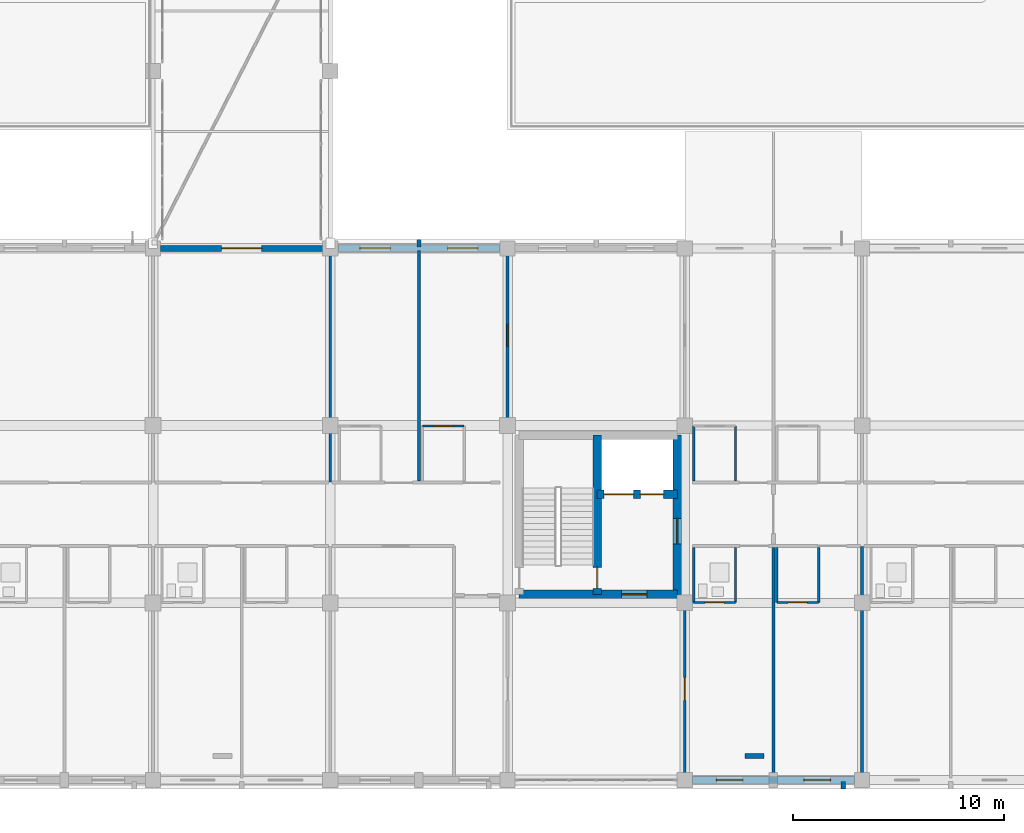
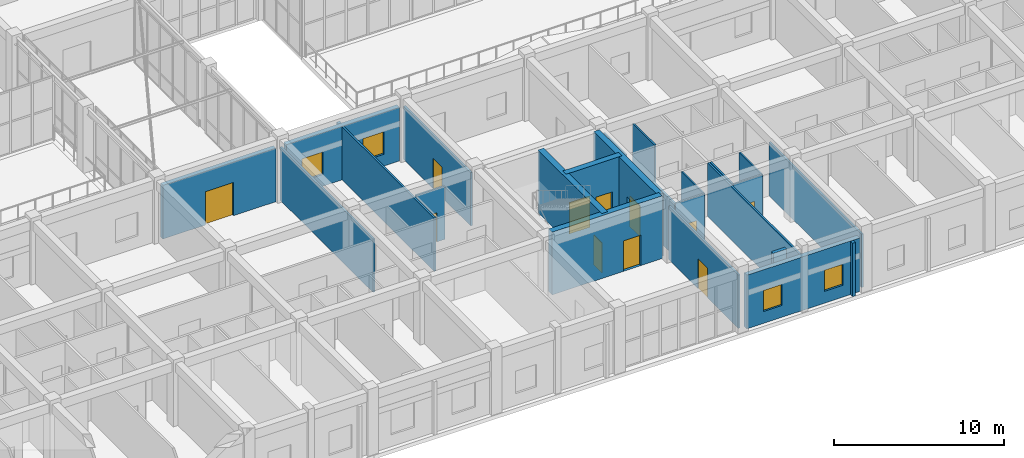
# One storey, part 121 of 158: 25 walls, 11 doors, 4 windows, 15 openings.
"""IFC4 building model written with IfcOpenShell, lengths in metres."""

from ifc_helpers import new_model, si_unit, direction, frame, frame_2d, origin, place, context, subcontext, project, spatial, rectangle, extrude, material, layer, layer_set, type_object, element, fill, save


model = new_model("IFC4")

# Units and contexts
model_context = context("Model", 3, precision=1e-05, world=origin(), true_north=direction((0.0, 1.0)))
body_context = subcontext(model_context, "Body", "Model", "MODEL_VIEW")
ifc_project = project(units=[si_unit("LENGTHUNIT", "METRE"), si_unit("AREAUNIT", "SQUARE_METRE"), si_unit("VOLUMEUNIT", "CUBIC_METRE"), si_unit("PLANEANGLEUNIT", "RADIAN"), si_unit("MASSUNIT", "GRAM", prefix="KILO")], contexts=[model_context])

# Site, building, storey
site_placement = place(None, origin())
site = spatial("IfcSite", under=ifc_project, at=site_placement, CompositionType="ELEMENT")
building_placement = place(site_placement, origin())
building = spatial("IfcBuilding", under=site, at=building_placement, Name="Trelvath General Hospital", CompositionType="ELEMENT")
storey_placement = place(building_placement, frame((0.0, 0.0, 8.10009765625)))
storey = spatial("IfcBuildingStorey", under=building, at=storey_placement, Name="L02", CompositionType="ELEMENT", Elevation=8.10009765625)

# Walls
ifc_material_1 = material(Name="Precast concrete C40/50", Category="concrete")
ifc_layer_1 = layer(ifc_material_1, 0.199951171875)
ifc_layer_set_1 = layer_set([ifc_layer_1], Name="Precast concrete C40/50")
wall_type_1 = type_object("IfcWallType", Name="BriseSoleilRib 200", PredefinedType="ELEMENTEDWALL", material=ifc_layer_set_1)
for number, where, z_axis, x_axis, name in (
    (1, (88.199951171875, 25.27490234375, 0.0), (0.0, 0.0, 1.0), (0.0, 1.0, 0.0), "Precast Concrete Brise-Soleil Rib Fin L02-202"),
    (2, (108.306640625, -0.074951171875, 0.0), (0.0, 0.0, 1.0), (0.0, -1.0, 0.0), "Precast Concrete Brise-Soleil Rib Fin L02-207"),
):
    element("IfcWall", number, at=place(storey_placement, frame(where, z_axis=z_axis, x_axis=x_axis)), inside=storey, type_object=wall_type_1, Name=name, PredefinedType="ELEMENTEDWALL", context=body_context, shape_type="SweptSolid", body=[
        extrude(rectangle(XDim=0.340087890625, YDim=0.199951171875, at=frame_2d((0.169921875, 0.0))), origin(), (0.0, 0.0, 1.0), 3.83984375),
    ])

# Wall, opening, door
ifc_material_2 = material(Name="Concrete C40/50", Category="concrete")
ifc_layer_2 = layer(ifc_material_2, 0.39990234375)
ifc_layer_set_2 = layer_set([ifc_layer_2], Name="Concrete C40/50")
wall_type_2 = type_object("IfcWallType", Name="CoreShearWall 400", PredefinedType="SHEAR", material=ifc_layer_set_2)
wall_1_placement = place(storey_placement, frame((92.949951171875, 8.800048828125, 0.0), z_axis=(0.0, 0.0, 1.0), x_axis=(1.0, 0.0, 0.0)))
wall_1 = element("IfcWall", 3, at=wall_1_placement, inside=storey, type_object=wall_type_2, Name="Core Shear Wall C5 S L02", PredefinedType="SHEAR", context=body_context, shape_type="SweptSolid", body=[
    extrude(rectangle(XDim=7.5, YDim=0.39990234375, at=frame_2d((3.75, 0.0))), origin(), (0.0, 0.0, 1.0), 4.52001953125),
])
opening_1_placement = place(wall_1_placement, frame((4.85009765625, 0.0, 0.0)))
opening_1 = element("IfcOpeningElement", 4, at=opening_1_placement, cuts=wall_1, Name="Opening FD-LS52", PredefinedType="OPENING", context=body_context, shape_type="SweptSolid", body=[
    extrude(rectangle(XDim=1.199951171875, YDim=2.199951171875, at=frame_2d((0.60009765625, 1.10009765625))), frame((0.0, 0.2099609375, 0.0), z_axis=(0.0, -1.0, 0.0), x_axis=(1.0, 0.0, 0.0)), (0.0, 0.0, 1.0), 0.419921875),
])
ifc_material_3 = material(Name="Fire-rated steel door", Category="steel")
door_type_1 = type_object("IfcDoorType", Name="Door FireLobby 1200x2200", OperationType="NOTDEFINED", PredefinedType="DOOR", material=ifc_material_3)
door_1_placement = place(opening_1_placement, origin())
door_1 = element("IfcDoor", 5, at=door_1_placement, inside=storey, type_object=door_type_1, Name="Fire Lobby South Door C5 L02", OperationType="SINGLE_SWING_LEFT", OverallHeight=2.199951171875, OverallWidth=1.199951171875, PredefinedType="DOOR", context=body_context, shape_type="SweptSolid", body=[
    extrude(rectangle(XDim=1.199951171875, YDim=2.199951171875, at=frame_2d((0.60009765625, 1.10009765625))), frame((0.0, 0.02490234375, 0.0), z_axis=(0.0, -1.0, 0.0), x_axis=(1.0, 0.0, 0.0)), (0.0, 0.0, 1.0), 0.050048828125),
])
fill(opening_1, door_1)

wall_2_placement = place(storey_placement, frame((100.449951171875, 8.800048828125, 0.0), z_axis=(0.0, 0.0, 1.0), x_axis=(0.0, 1.0, 0.0)))
wall_2 = element("IfcWall", 6, at=wall_2_placement, inside=storey, type_object=wall_type_2, Name="Core Shear Wall C5 E L02", PredefinedType="SHEAR", context=body_context, shape_type="SweptSolid", body=[
    extrude(rectangle(XDim=7.550048828125, YDim=0.39990234375, at=frame_2d((3.77490234375, 0.0))), origin(), (0.0, 0.0, 1.0), 4.52001953125),
])
opening_2_placement = place(wall_2_placement, frame((2.39990234375, 0.0, 0.0)))
opening_2 = element("IfcOpeningElement", 7, at=opening_2_placement, cuts=wall_2, Name="Opening FD-LE52", PredefinedType="OPENING", context=body_context, shape_type="SweptSolid", body=[
    extrude(rectangle(XDim=1.199951171875, YDim=2.199951171875, at=frame_2d((0.60009765625, 1.10009765625))), frame((0.0, 0.2099609375, 0.0), z_axis=(0.0, -1.0, 0.0), x_axis=(1.0, 0.0, 0.0)), (0.0, 0.0, 1.0), 0.419921875),
])
door_2_placement = place(opening_2_placement, origin())
door_2 = element("IfcDoor", 8, at=door_2_placement, inside=storey, type_object=door_type_1, Name="Fire Lobby East Corridor Door C5 L02", OperationType="SINGLE_SWING_RIGHT", OverallHeight=2.199951171875, OverallWidth=1.199951171875, PredefinedType="DOOR", context=body_context, shape_type="SweptSolid", body=[
    extrude(rectangle(XDim=1.199951171875, YDim=2.199951171875, at=frame_2d((0.60009765625, 1.10009765625))), frame((0.0, 0.02490234375, 0.0), z_axis=(0.0, -1.0, 0.0), x_axis=(1.0, 0.0, 0.0)), (0.0, 0.0, 1.0), 0.050048828125),
])
fill(opening_2, door_2)

wall_3_placement = place(storey_placement, frame((96.64990234375, 8.800048828125, 0.0), z_axis=(0.0, 0.0, 1.0), x_axis=(0.0, 1.0, 0.0)))
wall_3 = element("IfcWall", 9, at=wall_3_placement, inside=storey, type_object=wall_type_2, Name="Core Shear Wall C5 SPINE L02", PredefinedType="SHEAR", context=body_context, shape_type="SweptSolid", body=[
    extrude(rectangle(XDim=7.550048828125, YDim=0.39990234375, at=frame_2d((3.77490234375, 0.0))), origin(), (0.0, 0.0, 1.0), 4.52001953125),
])
opening_3_placement = place(wall_3_placement, frame((0.280029296875, 0.0, 0.0)))
opening_3 = element("IfcOpeningElement", 10, at=opening_3_placement, cuts=wall_3, Name="Opening FD-S52", PredefinedType="OPENING", context=body_context, shape_type="SweptSolid", body=[
    extrude(rectangle(XDim=1.0, YDim=2.14990234375, at=frame_2d((0.5, 1.074951171875))), frame((0.0, 0.2099609375, 0.0), z_axis=(0.0, -1.0, 0.0), x_axis=(1.0, 0.0, 0.0)), (0.0, 0.0, 1.0), 0.419921875),
])
ifc_material_4 = material(Name="Fire-rated steel door", Category="steel")
door_type_2 = type_object("IfcDoorType", Name="Door FireStair 1100x2150", OperationType="NOTDEFINED", PredefinedType="DOOR", material=ifc_material_4)
door_3_placement = place(opening_3_placement, origin())
door_3 = element("IfcDoor", 11, at=door_3_placement, inside=storey, type_object=door_type_2, Name="Exit Stair Door ST5 L02", OperationType="SINGLE_SWING_LEFT", OverallHeight=2.14990234375, OverallWidth=1.0, PredefinedType="DOOR", context=body_context, shape_type="SweptSolid", body=[
    extrude(rectangle(XDim=1.0, YDim=2.14990234375, at=frame_2d((0.5, 1.074951171875))), frame((0.0, 0.02490234375, 0.0), z_axis=(0.0, -1.0, 0.0), x_axis=(1.0, 0.0, 0.0)), (0.0, 0.0, 1.0), 0.050048828125),
])
fill(opening_3, door_3)

# Wall, openings, doors
wall_4_placement = place(storey_placement, frame((96.64990234375, 13.550048828125, 0.0), z_axis=(0.0, 0.0, 1.0), x_axis=(1.0, 0.0, 0.0)))
wall_4 = element("IfcWall", 12, at=wall_4_placement, inside=storey, type_object=wall_type_2, Name="Core Shear Wall C5 SHAFT L02", PredefinedType="SHEAR", context=body_context, shape_type="SweptSolid", body=[
    extrude(rectangle(XDim=3.800048828125, YDim=0.39990234375, at=frame_2d((1.89990234375, 0.0))), origin(), (0.0, 0.0, 1.0), 4.52001953125),
])
opening_4_placement = place(wall_4_placement, frame((0.320068359375, 0.0, 0.0)))
opening_4 = element("IfcOpeningElement", 13, at=opening_4_placement, cuts=wall_4, Name="Opening LD-BD4-2", PredefinedType="OPENING", context=body_context, shape_type="SweptSolid", body=[
    extrude(rectangle(XDim=1.39990234375, YDim=2.25, at=frame_2d((0.699951171875, 1.125))), frame((0.0, 0.2099609375, 0.0), z_axis=(0.0, -1.0, 0.0), x_axis=(1.0, 0.0, 0.0)), (0.0, 0.0, 1.0), 0.419921875),
])
opening_5_placement = place(wall_4_placement, frame((2.0400390625, 0.0, 0.0)))
opening_5 = element("IfcOpeningElement", 14, at=opening_5_placement, cuts=wall_4, Name="Opening LD-PA2-2", PredefinedType="OPENING", context=body_context, shape_type="SweptSolid", body=[
    extrude(rectangle(XDim=1.10009765625, YDim=2.14990234375, at=frame_2d((0.550048828125, 1.074951171875))), frame((0.0, 0.2099609375, 0.0), z_axis=(0.0, -1.0, 0.0), x_axis=(1.0, 0.0, 0.0)), (0.0, 0.0, 1.0), 0.419921875),
])
ifc_material_5 = material(Name="Stainless steel stretcher lift landing door", Category="steel")
door_type_3 = type_object("IfcDoorType", Name="Door LiftBed 1400x2250", OperationType="SLIDING_TO_LEFT", PredefinedType="DOOR", material=ifc_material_5)
door_4_placement = place(opening_4_placement, origin())
door_4 = element("IfcDoor", 15, at=door_4_placement, inside=storey, type_object=door_type_3, Name="Lift Landing Sliding Door LF-BD4 L02", OperationType="SLIDING_TO_LEFT", OverallHeight=2.25, OverallWidth=1.39990234375, PredefinedType="DOOR", context=body_context, shape_type="SweptSolid", body=[
    extrude(rectangle(XDim=1.39990234375, YDim=2.25, at=frame_2d((0.699951171875, 1.125))), frame((0.0, 0.02490234375, 0.0), z_axis=(0.0, -1.0, 0.0), x_axis=(1.0, 0.0, 0.0)), (0.0, 0.0, 1.0), 0.050048828125),
])
fill(opening_4, door_4)
ifc_material_6 = material(Name="Stainless steel lift landing sliding door", Category="steel")
door_type_4 = type_object("IfcDoorType", Name="Door LiftLanding 1100x2150", OperationType="SLIDING_TO_LEFT", PredefinedType="DOOR", material=ifc_material_6)
door_5_placement = place(opening_5_placement, origin())
door_5 = element("IfcDoor", 16, at=door_5_placement, inside=storey, type_object=door_type_4, Name="Lift Landing Sliding Door LF-PA2 L02", OperationType="SLIDING_TO_LEFT", OverallHeight=2.14990234375, OverallWidth=1.10009765625, PredefinedType="DOOR", context=body_context, shape_type="SweptSolid", body=[
    extrude(rectangle(XDim=1.10009765625, YDim=2.14990234375, at=frame_2d((0.550048828125, 1.074951171875))), frame((0.0, 0.02490234375, 0.0), z_axis=(0.0, -1.0, 0.0), x_axis=(1.0, 0.0, 0.0)), (0.0, 0.0, 1.0), 0.050048828125),
])
fill(opening_5, door_5)

# Wall, opening, door
ifc_material_7 = material(Name="Moisture-resistant tile partition")
ifc_layer_3 = layer(ifc_material_7, 0.110107421875)
ifc_layer_set_3 = layer_set([ifc_layer_3], Name="Moisture-resistant tile partition")
wall_type_3 = type_object("IfcWallType", Name="EnSuiteWetWall 110", PredefinedType="PARTITIONING", material=ifc_layer_set_3)
wall_5_placement = place(storey_placement, frame((88.360107421875, 16.780029296875, 0.0), z_axis=(0.0, 0.0, 1.0), x_axis=(1.0, 0.0, 0.0)))
wall_5 = element("IfcWall", 17, at=wall_5_placement, inside=storey, type_object=wall_type_3, Name="En-Suite Bathroom N Partition L02-790", PredefinedType="PARTITIONING", context=body_context, shape_type="SweptSolid", body=[
    extrude(rectangle(XDim=1.97998046875, YDim=0.110107421875, at=frame_2d((0.989990234375, 0.0))), origin(), (0.0, 0.0, 1.0), 3.83984375),
])
opening_6_placement = place(wall_5_placement, frame((0.5400390625, 0.0, 0.0)))
opening_6 = element("IfcOpeningElement", 18, at=opening_6_placement, cuts=wall_5, Name="Opening D-2-0681", PredefinedType="OPENING", context=body_context, shape_type="SweptSolid", body=[
    extrude(rectangle(XDim=0.89990234375, YDim=2.10009765625, at=frame_2d((0.449951171875, 1.050048828125))), frame((0.0, 0.06494140625, 0.0), z_axis=(0.0, -1.0, 0.0), x_axis=(1.0, 0.0, 0.0)), (0.0, 0.0, 1.0), 0.130126953125),
])
ifc_material_8 = material(Name="Moisture-sealed timber leaf", Category="wood")
door_type_5 = type_object("IfcDoorType", Name="Door EnSuite 900x2100", OperationType="NOTDEFINED", PredefinedType="DOOR", material=ifc_material_8)
door_6_placement = place(opening_6_placement, origin())
door_6 = element("IfcDoor", 19, at=door_6_placement, inside=storey, type_object=door_type_5, Name="En-Suite Bathroom N Door L02-681", OperationType="SINGLE_SWING_RIGHT", OverallHeight=2.10009765625, OverallWidth=0.89990234375, PredefinedType="DOOR", context=body_context, shape_type="SweptSolid", body=[
    extrude(rectangle(XDim=0.89990234375, YDim=2.10009765625, at=frame_2d((0.449951171875, 1.050048828125))), frame((0.0, 0.02490234375, 0.0), z_axis=(0.0, -1.0, 0.0), x_axis=(1.0, 0.0, 0.0)), (0.0, 0.0, 1.0), 0.050048828125),
])
fill(opening_6, door_6)

# Walls
for number, where, z_axis, x_axis, name in (
    (20, (101.219970703125, 8.419921875, 0.0), (0.0, 0.0, 1.0), (0.0, 1.0, 0.0), "En-Suite W Wall L02-797"),
    (21, (103.199951171875, 8.419921875, 0.0), (0.0, 0.0, 1.0), (0.0, 1.0, 0.0), "En-Suite E Wall L02-798"),
):
    element("IfcWall", number, at=place(storey_placement, frame(where, z_axis=z_axis, x_axis=x_axis)), inside=storey, type_object=wall_type_3, Name=name, PredefinedType="PARTITIONING", context=body_context, shape_type="SweptSolid", body=[
        extrude(rectangle(XDim=2.610107421875, YDim=0.110107421875, at=frame_2d((1.30517578125, 0.0))), origin(), (0.0, 0.0, 1.0), 3.83984375),
    ])

# Wall, opening, door
wall_6_placement = place(storey_placement, frame((101.219970703125, 8.419921875, 0.0), z_axis=(0.0, 0.0, 1.0), x_axis=(1.0, 0.0, 0.0)))
wall_6 = element("IfcWall", 22, at=wall_6_placement, inside=storey, type_object=wall_type_3, Name="En-Suite Bathroom Partition L02-799", PredefinedType="PARTITIONING", context=body_context, shape_type="SweptSolid", body=[
    extrude(rectangle(XDim=1.97998046875, YDim=0.110107421875, at=frame_2d((0.989990234375, 0.0))), origin(), (0.0, 0.0, 1.0), 3.83984375),
])
opening_7_placement = place(wall_6_placement, frame((0.5400390625, 0.0, 0.0)))
opening_7 = element("IfcOpeningElement", 23, at=opening_7_placement, cuts=wall_6, Name="Opening D-2-0688", PredefinedType="OPENING", context=body_context, shape_type="SweptSolid", body=[
    extrude(rectangle(XDim=0.89990234375, YDim=2.10009765625, at=frame_2d((0.449951171875, 1.050048828125))), frame((0.0, 0.06494140625, 0.0), z_axis=(0.0, -1.0, 0.0), x_axis=(1.0, 0.0, 0.0)), (0.0, 0.0, 1.0), 0.130126953125),
])
door_7_placement = place(opening_7_placement, origin())
door_7 = element("IfcDoor", 24, at=door_7_placement, inside=storey, type_object=door_type_5, Name="En-Suite Bathroom Door L02-688", OperationType="SINGLE_SWING_LEFT", OverallHeight=2.10009765625, OverallWidth=0.89990234375, PredefinedType="DOOR", context=body_context, shape_type="SweptSolid", body=[
    extrude(rectangle(XDim=0.89990234375, YDim=2.10009765625, at=frame_2d((0.449951171875, 1.050048828125))), frame((0.0, 0.02490234375, 0.0), z_axis=(0.0, -1.0, 0.0), x_axis=(1.0, 0.0, 0.0)), (0.0, 0.0, 1.0), 0.050048828125),
])
fill(opening_7, door_7)

# Walls
for number, where, z_axis, x_axis, name in (
    (25, (105.159912109375, 8.419921875, 0.0), (0.0, 0.0, 1.0), (0.0, 1.0, 0.0), "En-Suite W Wall L02-800"),
    (26, (107.139892578125, 8.419921875, 0.0), (0.0, 0.0, 1.0), (0.0, 1.0, 0.0), "En-Suite E Wall L02-801"),
):
    element("IfcWall", number, at=place(storey_placement, frame(where, z_axis=z_axis, x_axis=x_axis)), inside=storey, type_object=wall_type_3, Name=name, PredefinedType="PARTITIONING", context=body_context, shape_type="SweptSolid", body=[
        extrude(rectangle(XDim=2.610107421875, YDim=0.110107421875, at=frame_2d((1.30517578125, 0.0))), origin(), (0.0, 0.0, 1.0), 3.83984375),
    ])

# Wall, opening, door
wall_7_placement = place(storey_placement, frame((105.159912109375, 8.419921875, 0.0), z_axis=(0.0, 0.0, 1.0), x_axis=(1.0, 0.0, 0.0)))
wall_7 = element("IfcWall", 27, at=wall_7_placement, inside=storey, type_object=wall_type_3, Name="En-Suite Bathroom Partition L02-802", PredefinedType="PARTITIONING", context=body_context, shape_type="SweptSolid", body=[
    extrude(rectangle(XDim=1.97998046875, YDim=0.110107421875, at=frame_2d((0.989990234375, 0.0))), origin(), (0.0, 0.0, 1.0), 3.83984375),
])
opening_8_placement = place(wall_7_placement, frame((0.5400390625, 0.0, 0.0)))
opening_8 = element("IfcOpeningElement", 28, at=opening_8_placement, cuts=wall_7, Name="Opening D-2-0689", PredefinedType="OPENING", context=body_context, shape_type="SweptSolid", body=[
    extrude(rectangle(XDim=0.89990234375, YDim=2.10009765625, at=frame_2d((0.449951171875, 1.050048828125))), frame((0.0, 0.06494140625, 0.0), z_axis=(0.0, -1.0, 0.0), x_axis=(1.0, 0.0, 0.0)), (0.0, 0.0, 1.0), 0.130126953125),
])
door_8_placement = place(opening_8_placement, origin())
door_8 = element("IfcDoor", 29, at=door_8_placement, inside=storey, type_object=door_type_5, Name="En-Suite Bathroom Door L02-689", OperationType="SINGLE_SWING_RIGHT", OverallHeight=2.10009765625, OverallWidth=0.89990234375, PredefinedType="DOOR", context=body_context, shape_type="SweptSolid", body=[
    extrude(rectangle(XDim=0.89990234375, YDim=2.10009765625, at=frame_2d((0.449951171875, 1.050048828125))), frame((0.0, 0.02490234375, 0.0), z_axis=(0.0, -1.0, 0.0), x_axis=(1.0, 0.0, 0.0)), (0.0, 0.0, 1.0), 0.050048828125),
])
fill(opening_8, door_8)

# Walls
for number, where, z_axis, x_axis, name in (
    (30, (101.219970703125, 14.169921875, 0.0), (0.0, 0.0, 1.0), (0.0, 1.0, 0.0), "En-Suite W Wall N L02-806"),
    (31, (103.199951171875, 14.169921875, 0.0), (0.0, 0.0, 1.0), (0.0, 1.0, 0.0), "En-Suite E Wall N L02-807"),
):
    element("IfcWall", number, at=place(storey_placement, frame(where, z_axis=z_axis, x_axis=x_axis)), inside=storey, type_object=wall_type_3, Name=name, PredefinedType="PARTITIONING", context=body_context, shape_type="SweptSolid", body=[
        extrude(rectangle(XDim=2.610107421875, YDim=0.110107421875, at=frame_2d((1.30517578125, 0.0))), origin(), (0.0, 0.0, 1.0), 3.83984375),
    ])

# Wall, opening, door
ifc_material_9 = material(Name="Concrete C35/45", Category="concrete")
ifc_layer_4 = layer(ifc_material_9, 0.2900390625)
ifc_layer_set_4 = layer_set([ifc_layer_4], Name="Concrete C35/45")
wall_type_4 = type_object("IfcWallType", Name="ExtBushHammeredWall 290", PredefinedType="SOLIDWALL", material=ifc_layer_set_4)
wall_8_placement = place(storey_placement, frame((75.955078125, 25.199951171875, 0.0), z_axis=(0.0, 0.0, 1.0), x_axis=(1.0, 0.0, 0.0)))
wall_8 = element("IfcWall", 32, at=wall_8_placement, inside=storey, type_object=wall_type_4, Name="Bridge Portal Wall BRG-S-C L02", PredefinedType="SOLIDWALL", context=body_context, shape_type="SweptSolid", body=[
    extrude(rectangle(XDim=7.68994140625, YDim=0.2900390625, at=frame_2d((3.844970703125, 0.0))), origin(), (0.0, 0.0, 1.0), 3.85986328125),
])
opening_9_placement = place(wall_8_placement, frame((2.89501953125, 0.0, 0.0)))
opening_9 = element("IfcOpeningElement", 33, at=opening_9_placement, cuts=wall_8, Name="Opening BP-2-042", PredefinedType="OPENING", context=body_context, shape_type="SweptSolid", body=[
    extrude(rectangle(XDim=1.89990234375, YDim=2.39990234375, at=frame_2d((0.949951171875, 1.199951171875))), frame((0.0, 0.155029296875, 0.0), z_axis=(0.0, -1.0, 0.0), x_axis=(1.0, 0.0, 0.0)), (0.0, 0.0, 1.0), 0.31005859375),
])
ifc_material_10 = material(Name="Thermally broken glazed aluminium pair", Category="aluminium")
door_type_6 = type_object("IfcDoorType", Name="Door BridgeEntry 1900x2400", OperationType="DOUBLE_SWING_LEFT", PredefinedType="DOOR", material=ifc_material_10)
door_9_placement = place(opening_9_placement, origin())
door_9 = element("IfcDoor", 34, at=door_9_placement, inside=storey, type_object=door_type_6, Name="Glazed Bridge Portal Door BRG-S-C L02", OperationType="DOUBLE_SWING_LEFT", OverallHeight=2.39990234375, OverallWidth=1.89990234375, PredefinedType="DOOR", context=body_context, shape_type="SweptSolid", body=[
    extrude(rectangle(XDim=1.89990234375, YDim=2.39990234375, at=frame_2d((0.949951171875, 1.199951171875))), frame((0.0, 0.02490234375, 0.0), z_axis=(0.0, -1.0, 0.0), x_axis=(1.0, 0.0, 0.0)), (0.0, 0.0, 1.0), 0.050048828125),
])
fill(opening_9, door_9)

# Wall, openings, windows
ifc_material_11 = material(Name="Concrete C35/45", Category="concrete")
ifc_layer_5 = layer(ifc_material_11, 0.320068359375)
ifc_layer_set_5 = layer_set([ifc_layer_5], Name="Concrete C35/45")
wall_type_5 = type_object("IfcWallType", Name="ExtThermalWall 320", PredefinedType="SOLIDWALL", material=ifc_layer_set_5)
wall_9_placement = place(storey_placement, frame((84.35498046875, 25.199951171875, 0.0), z_axis=(0.0, 0.0, 1.0), x_axis=(1.0, 0.0, 0.0)))
wall_9 = element("IfcWall", 35, at=wall_9_placement, inside=storey, type_object=wall_type_5, Name="Exterior Concrete Wall L02-276", PredefinedType="SOLIDWALL", context=body_context, shape_type="SweptSolid", body=[
    extrude(rectangle(XDim=7.68994140625, YDim=0.320068359375, at=frame_2d((3.844970703125, 0.0))), origin(), (0.0, 0.0, 1.0), 3.85986328125),
])
opening_10_placement = place(wall_9_placement, frame((1.048583984375, 0.0, 0.85009765625)))
opening_10 = element("IfcOpeningElement", 36, at=opening_10_placement, cuts=wall_9, Name="Opening WN-2-435", PredefinedType="OPENING", context=body_context, shape_type="SweptSolid", body=[
    extrude(rectangle(XDim=1.43994140625, YDim=1.6201171875, at=frame_2d((0.719970703125, 0.81005859375))), frame((0.0, 0.169921875, 0.0), z_axis=(0.0, -1.0, 0.0), x_axis=(1.0, 0.0, 0.0)), (0.0, 0.0, 1.0), 0.340087890625),
])
opening_11_placement = place(wall_9_placement, frame((5.201416015625, 0.0, 0.85009765625)))
opening_11 = element("IfcOpeningElement", 37, at=opening_11_placement, cuts=wall_9, Name="Opening WN-2-436", PredefinedType="OPENING", context=body_context, shape_type="SweptSolid", body=[
    extrude(rectangle(XDim=1.43994140625, YDim=1.6201171875, at=frame_2d((0.719970703125, 0.81005859375))), frame((0.0, 0.169921875, 0.0), z_axis=(0.0, -1.0, 0.0), x_axis=(1.0, 0.0, 0.0)), (0.0, 0.0, 1.0), 0.340087890625),
])
ifc_material_12 = material(Name="Low-E laminated glass", Category="glass")
window_type_1 = type_object("IfcWindowType", Name="Window Maternity 1440x1620", PartitioningType="DOUBLE_PANEL_VERTICAL", PredefinedType="WINDOW", material=ifc_material_12)
window_1_placement = place(opening_10_placement, origin())
window_1 = element("IfcWindow", 38, at=window_1_placement, inside=storey, type_object=window_type_1, Name="Solar Reveal Window L02-435", OverallHeight=1.6201171875, OverallWidth=1.43994140625, PartitioningType="SINGLE_PANEL", PredefinedType="WINDOW", context=body_context, shape_type="SweptSolid", body=[
    extrude(rectangle(XDim=1.43994140625, YDim=1.6201171875, at=frame_2d((0.719970703125, 0.81005859375))), frame((0.0, 0.030029296875, 0.0), z_axis=(0.0, -1.0, 0.0), x_axis=(1.0, 0.0, 0.0)), (0.0, 0.0, 1.0), 0.06005859375),
])
fill(opening_10, window_1)
window_2_placement = place(opening_11_placement, origin())
window_2 = element("IfcWindow", 39, at=window_2_placement, inside=storey, type_object=window_type_1, Name="Solar Reveal Window L02-436", OverallHeight=1.6201171875, OverallWidth=1.43994140625, PartitioningType="SINGLE_PANEL", PredefinedType="WINDOW", context=body_context, shape_type="SweptSolid", body=[
    extrude(rectangle(XDim=1.43994140625, YDim=1.6201171875, at=frame_2d((0.719970703125, 0.81005859375))), frame((0.0, 0.030029296875, 0.0), z_axis=(0.0, -1.0, 0.0), x_axis=(1.0, 0.0, 0.0)), (0.0, 0.0, 1.0), 0.06005859375),
])
fill(opening_11, window_2)

wall_10_placement = place(storey_placement, frame((108.844970703125, 0.0, 0.0), z_axis=(0.0, 0.0, 1.0), x_axis=(-1.0, 0.0, 0.0)))
wall_10 = element("IfcWall", 40, at=wall_10_placement, inside=storey, type_object=wall_type_5, Name="Exterior Concrete Wall L02-284", PredefinedType="SOLIDWALL", context=body_context, shape_type="SweptSolid", body=[
    extrude(rectangle(XDim=7.68994140625, YDim=0.320068359375, at=frame_2d((3.844970703125, 0.0))), origin(), (0.0, 0.0, 1.0), 3.85986328125),
])
opening_12_placement = place(wall_10_placement, frame((1.138671875, 0.0, 0.85009765625)))
opening_12 = element("IfcOpeningElement", 41, at=opening_12_placement, cuts=wall_10, Name="Opening WN-2-445", PredefinedType="OPENING", context=body_context, shape_type="SweptSolid", body=[
    extrude(rectangle(XDim=1.260009765625, YDim=1.52001953125, at=frame_2d((0.6298828125, 0.760009765625))), frame((0.0, 0.169921875, 0.0), z_axis=(0.0, -1.0, 0.0), x_axis=(1.0, 0.0, 0.0)), (0.0, 0.0, 1.0), 0.340087890625),
])
opening_13_placement = place(wall_10_placement, frame((5.291259765625, 0.0, 0.85009765625)))
opening_13 = element("IfcOpeningElement", 42, at=opening_13_placement, cuts=wall_10, Name="Opening WN-2-446", PredefinedType="OPENING", context=body_context, shape_type="SweptSolid", body=[
    extrude(rectangle(XDim=1.260009765625, YDim=1.52001953125, at=frame_2d((0.6298828125, 0.760009765625))), frame((0.0, 0.169921875, 0.0), z_axis=(0.0, -1.0, 0.0), x_axis=(1.0, 0.0, 0.0)), (0.0, 0.0, 1.0), 0.340087890625),
])
ifc_material_13 = material(Name="Low-E laminated glass", Category="glass")
window_type_2 = type_object("IfcWindowType", Name="Window Oncology 1260x1520", PartitioningType="SINGLE_PANEL", PredefinedType="WINDOW", material=ifc_material_13)
window_3_placement = place(opening_12_placement, origin())
window_3 = element("IfcWindow", 43, at=window_3_placement, inside=storey, type_object=window_type_2, Name="Solar Reveal Window L02-445", OverallHeight=1.52001953125, OverallWidth=1.260009765625, PartitioningType="SINGLE_PANEL", PredefinedType="WINDOW", context=body_context, shape_type="SweptSolid", body=[
    extrude(rectangle(XDim=1.260009765625, YDim=1.52001953125, at=frame_2d((0.6298828125, 0.760009765625))), frame((0.0, 0.030029296875, 0.0), z_axis=(0.0, -1.0, 0.0), x_axis=(1.0, 0.0, 0.0)), (0.0, 0.0, 1.0), 0.06005859375),
])
fill(opening_12, window_3)
window_4_placement = place(opening_13_placement, origin())
window_4 = element("IfcWindow", 44, at=window_4_placement, inside=storey, type_object=window_type_2, Name="Solar Reveal Window L02-446", OverallHeight=1.52001953125, OverallWidth=1.260009765625, PartitioningType="SINGLE_PANEL", PredefinedType="WINDOW", context=body_context, shape_type="SweptSolid", body=[
    extrude(rectangle(XDim=1.260009765625, YDim=1.52001953125, at=frame_2d((0.6298828125, 0.760009765625))), frame((0.0, 0.030029296875, 0.0), z_axis=(0.0, -1.0, 0.0), x_axis=(1.0, 0.0, 0.0)), (0.0, 0.0, 1.0), 0.06005859375),
])
fill(opening_13, window_4)

# Walls
ifc_material_14 = material(Name="Masonry service chase blockwork", Category="masonry")
ifc_layer_6 = layer(ifc_material_14, 0.239990234375)
ifc_layer_set_6 = layer_set([ifc_layer_6], Name="Masonry service chase blockwork")
wall_type_6 = type_object("IfcWallType", Name="PlumbingChaseWall 240", PredefinedType="PLUMBINGWALL", material=ifc_layer_set_6)
wall_11_placement = place(storey_placement, frame((103.64990234375, 1.14990234375, 0.0), z_axis=(0.0, 0.0, 1.0), x_axis=(1.0, 0.0, 0.0)))
element("IfcWall", 45, at=wall_11_placement, inside=storey, type_object=wall_type_6, Name="Medical Gas Plumbing Chase L02-803", PredefinedType="PLUMBINGWALL", context=body_context, shape_type="SweptSolid", body=[
    extrude(rectangle(XDim=0.900146484375, YDim=0.239990234375, at=frame_2d((0.4501953125, 0.0))), origin(), (0.0, 0.0, 1.0), 3.83984375),
])
ifc_material_15 = material(Name="Gypsum acoustic steel-stud partition", Category="steel")
ifc_layer_7 = layer(ifc_material_15, 0.1298828125)
ifc_layer_set_7 = layer_set([ifc_layer_7], Name="Gypsum acoustic steel-stud partition")
wall_type_7 = type_object("IfcWallType", Name="WardPartition 130", PredefinedType="PARTITIONING", material=ifc_layer_set_7)
wall_12_placement = place(storey_placement, frame((84.0, 14.1201171875, 0.0), z_axis=(0.0, 0.0, 1.0), x_axis=(0.0, 1.0, 0.0)))
element("IfcWall", 46, at=wall_12_placement, inside=storey, type_object=wall_type_7, Name="Inter-Bay Ward Partition N L02-779", PredefinedType="PARTITIONING", context=body_context, shape_type="SweptSolid", body=[
    extrude(rectangle(XDim=10.93994140625, YDim=0.1298828125, at=frame_2d((5.469970703125, 0.0))), origin(), (0.0, 0.0, 1.0), 3.83984375),
])
wall_13_placement = place(storey_placement, frame((88.199951171875, 14.169921875, 0.0), z_axis=(0.0, 0.0, 1.0), x_axis=(0.0, 1.0, 0.0)))
element("IfcWall", 47, at=wall_13_placement, inside=storey, type_object=wall_type_7, Name="Room Dividing Partition N L02-784", PredefinedType="PARTITIONING", context=body_context, shape_type="SweptSolid", body=[
    extrude(rectangle(XDim=10.93017578125, YDim=0.1298828125, at=frame_2d((5.465087890625, 0.0))), origin(), (0.0, 0.0, 1.0), 3.83984375),
])

# Wall, opening, door
wall_14_placement = place(storey_placement, frame((92.39990234375, 17.14990234375, 0.0), z_axis=(0.0, 0.0, 1.0), x_axis=(0.0, 1.0, 0.0)))
wall_14 = element("IfcWall", 48, at=wall_14_placement, inside=storey, type_object=wall_type_7, Name="Inter-Bay Ward Partition N L02-792", PredefinedType="PARTITIONING", context=body_context, shape_type="SweptSolid", body=[
    extrude(rectangle(XDim=7.91015625, YDim=0.1298828125, at=frame_2d((3.955078125, 0.0))), origin(), (0.0, 0.0, 1.0), 3.83984375),
])
opening_14_placement = place(wall_14_placement, frame((3.39990234375, 0.0, 0.0)))
opening_14 = element("IfcOpeningElement", 49, at=opening_14_placement, cuts=wall_14, Name="Opening D-2-0683", PredefinedType="OPENING", context=body_context, shape_type="SweptSolid", body=[
    extrude(rectangle(XDim=1.050048828125, YDim=2.199951171875, at=frame_2d((0.52490234375, 1.10009765625))), frame((0.0, 0.074951171875, 0.0), z_axis=(0.0, -1.0, 0.0), x_axis=(1.0, 0.0, 0.0)), (0.0, 0.0, 1.0), 0.14990234375),
])
ifc_material_16 = material(Name="Acoustic hospital timber leaf", Category="wood")
door_type_7 = type_object("IfcDoorType", Name="Door Consult 1050x2200", OperationType="NOTDEFINED", PredefinedType="DOOR", material=ifc_material_16)
door_10_placement = place(opening_14_placement, origin())
door_10 = element("IfcDoor", 50, at=door_10_placement, inside=storey, type_object=door_type_7, Name="Consultation Connecting Door L02-683", OperationType="SINGLE_SWING_RIGHT", OverallHeight=2.199951171875, OverallWidth=1.050048828125, PredefinedType="DOOR", context=body_context, shape_type="SweptSolid", body=[
    extrude(rectangle(XDim=1.050048828125, YDim=2.199951171875, at=frame_2d((0.52490234375, 1.10009765625))), frame((0.0, 0.02490234375, 0.0), z_axis=(0.0, -1.0, 0.0), x_axis=(1.0, 0.0, 0.0)), (0.0, 0.0, 1.0), 0.050048828125),
])
fill(opening_14, door_10)

wall_15_placement = place(storey_placement, frame((100.800048828125, 0.139892578125, 0.0), z_axis=(0.0, 0.0, 1.0), x_axis=(0.0, 1.0, 0.0)))
wall_15 = element("IfcWall", 51, at=wall_15_placement, inside=storey, type_object=wall_type_7, Name="Inter-Bay Ward Partition S L02-793", PredefinedType="PARTITIONING", context=body_context, shape_type="SweptSolid", body=[
    extrude(rectangle(XDim=8.210205078125, YDim=0.1298828125, at=frame_2d((4.10498046875, 0.0))), origin(), (0.0, 0.0, 1.0), 3.83984375),
])
opening_15_placement = place(wall_15_placement, frame((3.639892578125, 0.0, 0.0)))
opening_15 = element("IfcOpeningElement", 52, at=opening_15_placement, cuts=wall_15, Name="Opening D-2-0684", PredefinedType="OPENING", context=body_context, shape_type="SweptSolid", body=[
    extrude(rectangle(XDim=1.080078125, YDim=2.14990234375, at=frame_2d((0.5400390625, 1.074951171875))), frame((0.0, 0.074951171875, 0.0), z_axis=(0.0, -1.0, 0.0), x_axis=(1.0, 0.0, 0.0)), (0.0, 0.0, 1.0), 0.14990234375),
])
ifc_material_17 = material(Name="Acoustic hospital timber leaf", Category="wood")
door_type_8 = type_object("IfcDoorType", Name="Door CleanSupply 1080x2150", OperationType="NOTDEFINED", PredefinedType="DOOR", material=ifc_material_17)
door_11_placement = place(opening_15_placement, origin())
door_11 = element("IfcDoor", 53, at=door_11_placement, inside=storey, type_object=door_type_8, Name="Clean Supply Connecting Door L02-684", OperationType="SINGLE_SWING_LEFT", OverallHeight=2.14990234375, OverallWidth=1.080078125, PredefinedType="DOOR", context=body_context, shape_type="SweptSolid", body=[
    extrude(rectangle(XDim=1.080078125, YDim=2.14990234375, at=frame_2d((0.5400390625, 1.074951171875))), frame((0.0, 0.02490234375, 0.0), z_axis=(0.0, -1.0, 0.0), x_axis=(1.0, 0.0, 0.0)), (0.0, 0.0, 1.0), 0.050048828125),
])
fill(opening_15, door_11)

# Walls
wall_16_placement = place(storey_placement, frame((105.0, 0.10009765625, 0.0), z_axis=(0.0, 0.0, 1.0), x_axis=(0.0, 1.0, 0.0)))
element("IfcWall", 54, at=wall_16_placement, inside=storey, type_object=wall_type_7, Name="Room Dividing Partition S L02-796", PredefinedType="PARTITIONING", context=body_context, shape_type="SweptSolid", body=[
    extrude(rectangle(XDim=10.929931640625, YDim=0.1298828125, at=frame_2d((5.46484375, 0.0))), origin(), (0.0, 0.0, 1.0), 3.83984375),
])
wall_17_placement = place(storey_placement, frame((109.199951171875, 0.139892578125, 0.0), z_axis=(0.0, 0.0, 1.0), x_axis=(0.0, 1.0, 0.0)))
element("IfcWall", 55, at=wall_17_placement, inside=storey, type_object=wall_type_7, Name="Inter-Bay Ward Partition S L02-813", PredefinedType="PARTITIONING", context=body_context, shape_type="SweptSolid", body=[
    extrude(rectangle(XDim=10.940185546875, YDim=0.1298828125, at=frame_2d((5.47021484375, 0.0))), origin(), (0.0, 0.0, 1.0), 3.83984375),
])

save(model, "model.ifc")
